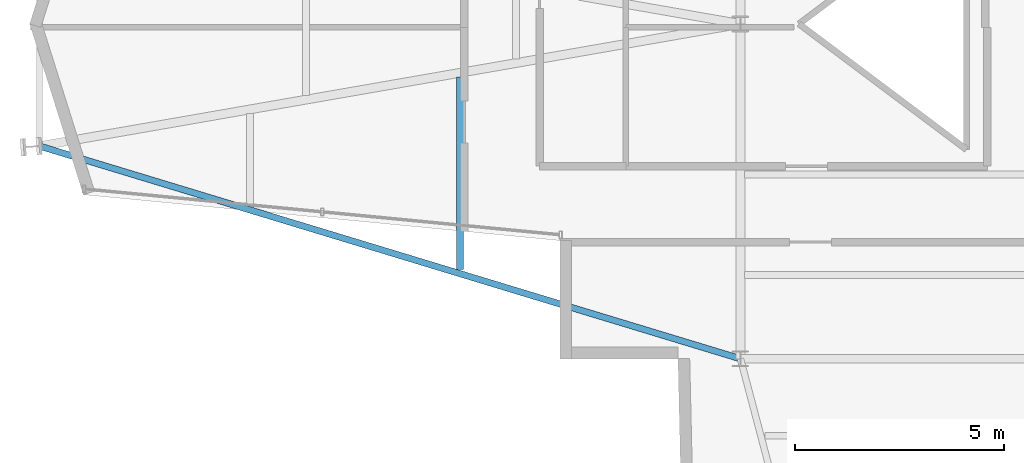
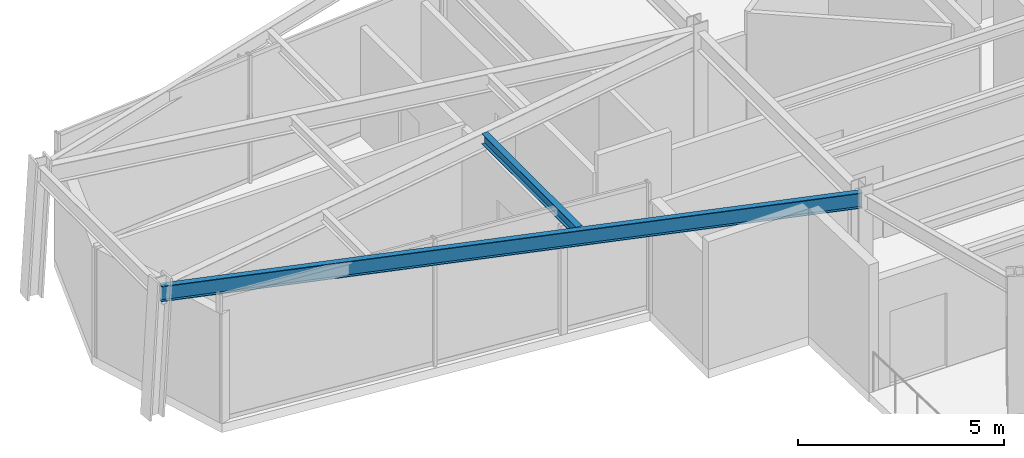
# One storey, part 3 of 21: 2 beams.
"""IFC4 building model written with IfcOpenShell, lengths in metres."""

from ifc_helpers import new_model, si_unit, direction, frame, origin, origin_2d, place, context, subcontext, project, spatial, i_section, extrude, material, material_profile, profile_set, type_object, element, save


model = new_model("IFC4")

# Units and contexts
model_context = context("Model", 3, precision=1e-05, world=origin(), true_north=direction((0.0, 1.0)))
body_context = subcontext(model_context, "Body", "Model", "MODEL_VIEW")
ifc_project = project(units=[si_unit("LENGTHUNIT", "METRE"), si_unit("AREAUNIT", "SQUARE_METRE"), si_unit("VOLUMEUNIT", "CUBIC_METRE"), si_unit("PLANEANGLEUNIT", "RADIAN"), si_unit("MASSUNIT", "GRAM", prefix="KILO")], contexts=[model_context])

# Site, building, storey
site_placement = place(None, origin())
site = spatial("IfcSite", under=ifc_project, at=site_placement, CompositionType="ELEMENT")
building_placement = place(site_placement, origin())
building = spatial("IfcBuilding", under=site, at=building_placement, Name="Veymaron Broadcast Tower", CompositionType="ELEMENT")
storey_placement = place(building_placement, frame((0.0, 0.0, 240.449951171875)))
storey = spatial("IfcBuildingStorey", under=building, at=storey_placement, Name="L56", CompositionType="ELEMENT", Elevation=240.449951171875)

# Beams
ifc_material = material(Name="Structural steel ASTM A992 Gr 50", Category="steel")
ifc_material_profile_1 = material_profile(ifc_material, i_section(OverallWidth=0.1650390625, OverallDepth=0.31005859375, WebThickness=0.005859375, FlangeThickness=0.009765625, at=origin_2d()), Name="W310X39")
ifc_profile_set_1 = profile_set([ifc_material_profile_1], Name="Structural steel ASTM A992 Gr 50")
beam_type_1 = type_object("IfcBeamType", Name="BM-JS3", PredefinedType="JOIST", material=ifc_profile_set_1)
beam_1_placement = place(storey_placement, frame((24.50048828125, 18.1328125, 3.635009765625), z_axis=(0.0, 1.0, 0.0), x_axis=(-1.0, 0.0, 0.0)))
element("IfcBeam", 1, at=beam_1_placement, inside=storey, type_object=beam_type_1, Name="L56 Arm-A secondary joist 2S", PredefinedType="JOIST", context=body_context, shape_type="SweptSolid", body=[
    extrude(i_section(OverallWidth=0.1650390625, OverallDepth=0.31005859375, WebThickness=0.005859375, FlangeThickness=0.009765625, at=origin_2d()), origin(), (0.0, 0.0, 1.0), 4.60009765625),
])
ifc_material_profile_2 = material_profile(ifc_material, i_section(OverallWidth=0.154052734375, OverallDepth=0.458984375, WebThickness=0.009033203125, FlangeThickness=0.015380859375, at=origin_2d()), Name="W460X68")
ifc_profile_set_2 = profile_set([ifc_material_profile_2], Name="Structural steel ASTM A992 Gr 50")
beam_type_2 = type_object("IfcBeamType", Name="BM-SP2", PredefinedType="SPANDREL", material=ifc_profile_set_2)
beam_2_placement = place(storey_placement, frame((14.45166015625, 21.08203125, 3.560546875), z_axis=(0.956916641224, -0.290362776107, 0.0), x_axis=(0.290362776107, 0.956916641224, 0.0)))
element("IfcBeam", 2, at=beam_2_placement, inside=storey, type_object=beam_type_2, Name="L56 primary structural floor girder", PredefinedType="SPANDREL", context=body_context, shape_type="SweptSolid", body=[
    extrude(i_section(OverallWidth=0.154052734375, OverallDepth=0.458984375, WebThickness=0.009033203125, FlangeThickness=0.015380859375, at=origin_2d()), origin(), (0.0, 0.0, 1.0), 17.50244140625),
])

save(model, "model.ifc")
